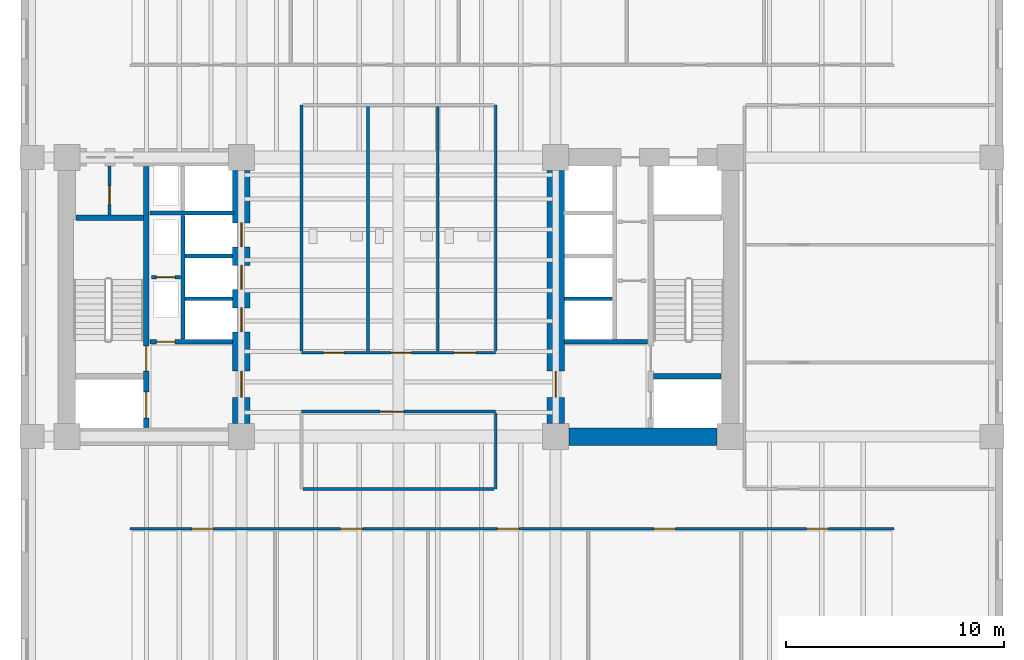
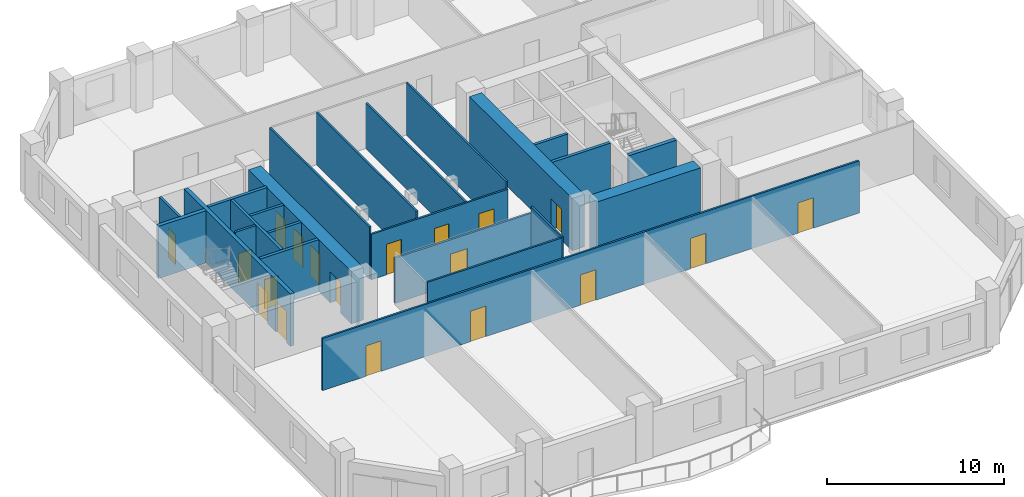
# One storey, part 3 of 9: 24 walls, 19 doors, 19 openings.
"""IFC4 building model written with IfcOpenShell, lengths in metres."""

from ifc_helpers import new_model, si_unit, direction, frame, frame_2d, origin, place, context, subcontext, project, spatial, rectangle, extrude, material, layer, layer_set, type_object, element, fill, save


model = new_model("IFC4")

# Units and contexts
model_context = context("Model", 3, precision=1e-05, world=origin(), true_north=direction((0.0, 1.0)))
body_context = subcontext(model_context, "Body", "Model", "MODEL_VIEW")
ifc_project = project(units=[si_unit("LENGTHUNIT", "METRE"), si_unit("AREAUNIT", "SQUARE_METRE"), si_unit("VOLUMEUNIT", "CUBIC_METRE"), si_unit("PLANEANGLEUNIT", "RADIAN"), si_unit("MASSUNIT", "GRAM", prefix="KILO")], contexts=[model_context])

# Site, building, storey
site_placement = place(None, origin())
site = spatial("IfcSite", under=ifc_project, at=site_placement, CompositionType="ELEMENT")
building_placement = place(site_placement, origin())
building = spatial("IfcBuilding", under=site, at=building_placement, Name="Kranthara Brick Stack", CompositionType="ELEMENT")
storey_placement = place(building_placement, frame((0.0, 0.0, 63.300048828125)))
storey = spatial("IfcBuildingStorey", under=building, at=storey_placement, Name="L15", CompositionType="ELEMENT", Elevation=63.300048828125)

# Wall, openings, doors
ifc_material_1 = material(Name="Concrete C50/60", Category="concrete")
ifc_layer_1 = layer(ifc_material_1, 0.25)
ifc_layer_set_1 = layer_set([ifc_layer_1], Name="Concrete C50/60")
wall_type_1 = type_object("IfcWallType", Name="WL-CORE-250", PredefinedType="SHEAR", material=ifc_layer_set_1)
wall_1_placement = place(storey_placement, frame((16.43505859375, 21.2099609375, 0.0), z_axis=(0.0, 0.0, 1.0), x_axis=(0.0, 1.0, 0.0)))
wall_1 = element("IfcWall", 1, at=wall_1_placement, inside=storey, type_object=wall_type_1, Name="L15 West Core Stair Bearing Spine Wall", PredefinedType="SHEAR", context=body_context, shape_type="SweptSolid", body=[
    extrude(rectangle(XDim=11.97998046875, YDim=0.25, at=frame_2d((5.989990234375, 0.0))), origin(), (0.0, 0.0, 1.0), 3.599853515625),
])
opening_1_placement = place(wall_1_placement, frame((0.43994140625, 0.0, 0.0)))
opening_1 = element("IfcOpeningElement", 2, at=opening_1_placement, cuts=wall_1, Name="Opening LD01", PredefinedType="OPENING", context=body_context, shape_type="SweptSolid", body=[
    extrude(rectangle(XDim=1.199951171875, YDim=2.14990234375, at=frame_2d((0.60009765625, 1.074951171875))), frame((0.0, 0.135009765625, 0.0), z_axis=(0.0, -1.0, 0.0), x_axis=(1.0, 0.0, 0.0)), (0.0, 0.0, 1.0), 0.27001953125),
])
opening_2_placement = place(wall_1_placement, frame((2.590087890625, 0.0, 0.0)))
opening_2 = element("IfcOpeningElement", 3, at=opening_2_placement, cuts=wall_1, Name="Opening D05", PredefinedType="OPENING", context=body_context, shape_type="SweptSolid", body=[
    extrude(rectangle(XDim=1.14990234375, YDim=2.14990234375, at=frame_2d((0.574951171875, 1.074951171875))), frame((0.0, 0.135009765625, 0.0), z_axis=(0.0, -1.0, 0.0), x_axis=(1.0, 0.0, 0.0)), (0.0, 0.0, 1.0), 0.27001953125),
])
ifc_material_2 = material(Name="Stainless steel sliding landing door", Category="steel")
door_type_1 = type_object("IfcDoorType", Name="DR-LD-FF1200", OperationType="DOUBLE_DOOR_SLIDING", PredefinedType="DOOR", material=ifc_material_2)
door_1_placement = place(opening_1_placement, origin())
door_1 = element("IfcDoor", 4, at=door_1_placement, inside=storey, type_object=door_type_1, Name="L15 Firefighting Lift FF-01 Landing Door", OperationType="DOUBLE_DOOR_SLIDING", OverallHeight=2.14990234375, OverallWidth=1.199951171875, PredefinedType="DOOR", context=body_context, shape_type="SweptSolid", body=[
    extrude(rectangle(XDim=1.199951171875, YDim=2.14990234375, at=frame_2d((0.60009765625, 1.074951171875))), frame((0.0, 0.02490234375, 0.0), z_axis=(0.0, -1.0, 0.0), x_axis=(1.0, 0.0, 0.0)), (0.0, 0.0, 1.0), 0.050048828125),
])
fill(opening_1, door_1)
ifc_material_3 = material(Name="Solid-core hardwood timber leaf in steel frame", Category="steel")
door_type_2 = type_object("IfcDoorType", Name="DR-ST-1150", OperationType="NOTDEFINED", PredefinedType="DOOR", material=ifc_material_3)
door_2_placement = place(opening_2_placement, origin())
door_2 = element("IfcDoor", 5, at=door_2_placement, inside=storey, type_object=door_type_2, Name="L15 Exit Stair ST01 Door", OperationType="SINGLE_SWING_RIGHT", OverallHeight=2.14990234375, OverallWidth=1.14990234375, PredefinedType="DOOR", context=body_context, shape_type="SweptSolid", body=[
    extrude(rectangle(XDim=1.14990234375, YDim=2.14990234375, at=frame_2d((0.574951171875, 1.074951171875))), frame((0.0, 0.02490234375, 0.0), z_axis=(0.0, -1.0, 0.0), x_axis=(1.0, 0.0, 0.0)), (0.0, 0.0, 1.0), 0.050048828125),
])
fill(opening_2, door_2)

# Walls
for number, where, z_axis, x_axis, name in (
    (6, (13.2099609375, 30.830078125, 0.0), (0.0, 0.0, 1.0), (1.0, 0.0, 0.0), "L15 West Stairwell Bearing Wall WST"),
    (7, (39.68994140625, 23.570068359375, 0.0), (0.0, 0.0, 1.0), (1.0, 0.0, 0.0), "L15 East Stairwell Bearing Wall EFF"),
):
    element("IfcWall", number, at=place(storey_placement, frame(where, z_axis=z_axis, x_axis=x_axis)), inside=storey, type_object=wall_type_1, Name=name, PredefinedType="SHEAR", context=body_context, shape_type="SweptSolid", body=[
        extrude(rectangle(XDim=3.10009765625, YDim=0.25, at=frame_2d((1.550048828125, 0.0))), origin(), (0.0, 0.0, 1.0), 3.599853515625),
    ])

# Wall, openings, doors
ifc_material_4 = material(Name="Concrete C70/85", Category="concrete")
ifc_layer_2 = layer(ifc_material_4, 0.800048828125)
ifc_layer_set_2 = layer_set([ifc_layer_2], Name="Concrete C70/85")
wall_type_2 = type_object("IfcWallType", Name="WL-CORE-800", PredefinedType="SHEAR", material=ifc_layer_set_2)
wall_2_placement = place(storey_placement, frame((20.800048828125, 21.405029296875, 0.0), z_axis=(0.0, 0.0, 1.0), x_axis=(0.0, 1.0, 0.0)))
wall_2 = element("IfcWall", 8, at=wall_2_placement, inside=storey, type_object=wall_type_2, Name="L15 West Core Shear Wall East", PredefinedType="SHEAR", context=body_context, shape_type="SweptSolid", body=[
    extrude(rectangle(XDim=11.590087890625, YDim=0.800048828125, at=frame_2d((5.794921875, 0.0))), origin(), (0.0, 0.0, 1.0), 3.599853515625),
])
opening_3_placement = place(wall_2_placement, frame((1.195068359375, 0.0, 0.0)))
opening_3 = element("IfcOpeningElement", 9, at=opening_3_placement, cuts=wall_2, Name="Opening D06", PredefinedType="OPENING", context=body_context, shape_type="SweptSolid", body=[
    extrude(rectangle(XDim=1.199951171875, YDim=2.14990234375, at=frame_2d((0.60009765625, 1.074951171875))), frame((0.0, 0.409912109375, 0.0), z_axis=(0.0, -1.0, 0.0), x_axis=(1.0, 0.0, 0.0)), (0.0, 0.0, 1.0), 0.820068359375),
])
opening_4_placement = place(wall_2_placement, frame((4.195068359375, 0.0, 0.0)))
opening_4 = element("IfcOpeningElement", 10, at=opening_4_placement, cuts=wall_2, Name="Opening LD02", PredefinedType="OPENING", context=body_context, shape_type="SweptSolid", body=[
    extrude(rectangle(XDim=1.10009765625, YDim=2.10009765625, at=frame_2d((0.550048828125, 1.050048828125))), frame((0.0, 0.409912109375, 0.0), z_axis=(0.0, -1.0, 0.0), x_axis=(1.0, 0.0, 0.0)), (0.0, 0.0, 1.0), 0.820068359375),
])
opening_5_placement = place(wall_2_placement, frame((6.14501953125, 0.0, 0.0)))
opening_5 = element("IfcOpeningElement", 11, at=opening_5_placement, cuts=wall_2, Name="Opening LD02", PredefinedType="OPENING", context=body_context, shape_type="SweptSolid", body=[
    extrude(rectangle(XDim=1.10009765625, YDim=2.10009765625, at=frame_2d((0.550048828125, 1.050048828125))), frame((0.0, 0.409912109375, 0.0), z_axis=(0.0, -1.0, 0.0), x_axis=(1.0, 0.0, 0.0)), (0.0, 0.0, 1.0), 0.820068359375),
])
opening_6_placement = place(wall_2_placement, frame((8.094970703125, 0.0, 0.0)))
opening_6 = element("IfcOpeningElement", 12, at=opening_6_placement, cuts=wall_2, Name="Opening LD02", PredefinedType="OPENING", context=body_context, shape_type="SweptSolid", body=[
    extrude(rectangle(XDim=1.10009765625, YDim=2.10009765625, at=frame_2d((0.550048828125, 1.050048828125))), frame((0.0, 0.409912109375, 0.0), z_axis=(0.0, -1.0, 0.0), x_axis=(1.0, 0.0, 0.0)), (0.0, 0.0, 1.0), 0.820068359375),
])
ifc_material_5 = material(Name="Solid-core hardwood timber leaf in steel frame", Category="steel")
door_type_3 = type_object("IfcDoorType", Name="DR-FFL-1200", OperationType="NOTDEFINED", PredefinedType="DOOR", material=ifc_material_5)
door_3_placement = place(opening_3_placement, origin())
door_3 = element("IfcDoor", 13, at=door_3_placement, inside=storey, type_object=door_type_3, Name="L15 West Firefighting Lobby Door", OperationType="SINGLE_SWING_LEFT", OverallHeight=2.14990234375, OverallWidth=1.199951171875, PredefinedType="DOOR", context=body_context, shape_type="SweptSolid", body=[
    extrude(rectangle(XDim=1.199951171875, YDim=2.14990234375, at=frame_2d((0.60009765625, 1.074951171875))), frame((0.0, 0.02490234375, 0.0), z_axis=(0.0, -1.0, 0.0), x_axis=(1.0, 0.0, 0.0)), (0.0, 0.0, 1.0), 0.050048828125),
])
fill(opening_3, door_3)
ifc_material_6 = material(Name="Stainless steel sliding landing door", Category="steel")
door_type_4 = type_object("IfcDoorType", Name="DR-LD-PL1100", OperationType="DOUBLE_DOOR_SLIDING", PredefinedType="DOOR", material=ifc_material_6)
door_4_placement = place(opening_4_placement, origin())
door_4 = element("IfcDoor", 14, at=door_4_placement, inside=storey, type_object=door_type_4, Name="L15 PL-01 Lift Landing Door", OperationType="DOUBLE_DOOR_SLIDING", OverallHeight=2.10009765625, OverallWidth=1.10009765625, PredefinedType="DOOR", context=body_context, shape_type="SweptSolid", body=[
    extrude(rectangle(XDim=1.10009765625, YDim=2.10009765625, at=frame_2d((0.550048828125, 1.050048828125))), frame((0.0, 0.02490234375, 0.0), z_axis=(0.0, -1.0, 0.0), x_axis=(1.0, 0.0, 0.0)), (0.0, 0.0, 1.0), 0.050048828125),
])
fill(opening_4, door_4)
door_5_placement = place(opening_5_placement, origin())
door_5 = element("IfcDoor", 15, at=door_5_placement, inside=storey, type_object=door_type_4, Name="L15 PL-02 Lift Landing Door", OperationType="DOUBLE_DOOR_SLIDING", OverallHeight=2.10009765625, OverallWidth=1.10009765625, PredefinedType="DOOR", context=body_context, shape_type="SweptSolid", body=[
    extrude(rectangle(XDim=1.10009765625, YDim=2.10009765625, at=frame_2d((0.550048828125, 1.050048828125))), frame((0.0, 0.02490234375, 0.0), z_axis=(0.0, -1.0, 0.0), x_axis=(1.0, 0.0, 0.0)), (0.0, 0.0, 1.0), 0.050048828125),
])
fill(opening_5, door_5)
door_6_placement = place(opening_6_placement, origin())
door_6 = element("IfcDoor", 16, at=door_6_placement, inside=storey, type_object=door_type_4, Name="L15 PL-03 Lift Landing Door", OperationType="DOUBLE_DOOR_SLIDING", OverallHeight=2.10009765625, OverallWidth=1.10009765625, PredefinedType="DOOR", context=body_context, shape_type="SweptSolid", body=[
    extrude(rectangle(XDim=1.10009765625, YDim=2.10009765625, at=frame_2d((0.550048828125, 1.050048828125))), frame((0.0, 0.02490234375, 0.0), z_axis=(0.0, -1.0, 0.0), x_axis=(1.0, 0.0, 0.0)), (0.0, 0.0, 1.0), 0.050048828125),
])
fill(opening_6, door_6)

# Wall
wall_3_placement = place(storey_placement, frame((35.804931640625, 20.800048828125, 0.0), z_axis=(0.0, 0.0, 1.0), x_axis=(1.0, 0.0, 0.0)))
element("IfcWall", 17, at=wall_3_placement, inside=storey, type_object=wall_type_2, Name="L15 East Core Shear Wall South", PredefinedType="SHEAR", context=body_context, shape_type="SweptSolid", body=[
    extrude(rectangle(XDim=6.7900390625, YDim=0.800048828125, at=frame_2d((3.39501953125, 0.0))), origin(), (0.0, 0.0, 1.0), 3.599853515625),
])

# Wall, opening, door
wall_4_placement = place(storey_placement, frame((35.199951171875, 21.405029296875, 0.0), z_axis=(0.0, 0.0, 1.0), x_axis=(0.0, 1.0, 0.0)))
wall_4 = element("IfcWall", 18, at=wall_4_placement, inside=storey, type_object=wall_type_2, Name="L15 East Core Shear Wall West", PredefinedType="SHEAR", context=body_context, shape_type="SweptSolid", body=[
    extrude(rectangle(XDim=11.590087890625, YDim=0.800048828125, at=frame_2d((5.794921875, 0.0))), origin(), (0.0, 0.0, 1.0), 3.599853515625),
])
opening_7_placement = place(wall_4_placement, frame((1.195068359375, 0.0, 0.0)))
opening_7 = element("IfcOpeningElement", 19, at=opening_7_placement, cuts=wall_4, Name="Opening D06", PredefinedType="OPENING", context=body_context, shape_type="SweptSolid", body=[
    extrude(rectangle(XDim=1.199951171875, YDim=2.14990234375, at=frame_2d((0.60009765625, 1.074951171875))), frame((0.0, 0.409912109375, 0.0), z_axis=(0.0, -1.0, 0.0), x_axis=(1.0, 0.0, 0.0)), (0.0, 0.0, 1.0), 0.820068359375),
])
door_7_placement = place(opening_7_placement, origin())
door_7 = element("IfcDoor", 20, at=door_7_placement, inside=storey, type_object=door_type_3, Name="L15 East Firefighting Lobby Door", OperationType="SINGLE_SWING_RIGHT", OverallHeight=2.14990234375, OverallWidth=1.199951171875, PredefinedType="DOOR", context=body_context, shape_type="SweptSolid", body=[
    extrude(rectangle(XDim=1.199951171875, YDim=2.14990234375, at=frame_2d((0.60009765625, 1.074951171875))), frame((0.0, 0.02490234375, 0.0), z_axis=(0.0, -1.0, 0.0), x_axis=(1.0, 0.0, 0.0)), (0.0, 0.0, 1.0), 0.050048828125),
])
fill(opening_7, door_7)

# Wall, openings, doors
ifc_material_7 = material(Name="Acoustic gypsum plasterboard partition", Category="other")
ifc_layer_3 = layer(ifc_material_7, 0.1201171875)
ifc_layer_set_3 = layer_set([ifc_layer_3], Name="Acoustic gypsum plasterboard partition")
wall_type_3 = type_object("IfcWallType", Name="WL-PART-120", PredefinedType="PARTITIONING", material=ifc_layer_set_3)
wall_5_placement = place(storey_placement, frame((23.550048828125, 24.64990234375, 0.0), z_axis=(0.0, 0.0, 1.0), x_axis=(1.0, 0.0, 0.0)))
wall_5 = element("IfcWall", 21, at=wall_5_placement, inside=storey, type_object=wall_type_3, Name="L15 Interior Partition 005", PredefinedType="PARTITIONING", context=body_context, shape_type="SweptSolid", body=[
    extrude(rectangle(XDim=8.89990234375, YDim=0.1201171875, at=frame_2d((4.449951171875, 0.0))), origin(), (0.0, 0.0, 1.0), 3.135009765625),
])
opening_8_placement = place(wall_5_placement, frame((1.0, 0.0, 0.0)))
opening_8 = element("IfcOpeningElement", 22, at=opening_8_placement, cuts=wall_5, Name="Opening D14", PredefinedType="OPENING", context=body_context, shape_type="SweptSolid", body=[
    extrude(rectangle(XDim=0.949951171875, YDim=2.10009765625, at=frame_2d((0.47509765625, 1.050048828125))), frame((0.0, 0.070068359375, 0.0), z_axis=(0.0, -1.0, 0.0), x_axis=(1.0, 0.0, 0.0)), (0.0, 0.0, 1.0), 0.14013671875),
])
opening_9_placement = place(wall_5_placement, frame((4.10009765625, 0.0, 0.0)))
opening_9 = element("IfcOpeningElement", 23, at=opening_9_placement, cuts=wall_5, Name="Opening D14", PredefinedType="OPENING", context=body_context, shape_type="SweptSolid", body=[
    extrude(rectangle(XDim=0.949951171875, YDim=2.10009765625, at=frame_2d((0.47509765625, 1.050048828125))), frame((0.0, 0.070068359375, 0.0), z_axis=(0.0, -1.0, 0.0), x_axis=(1.0, 0.0, 0.0)), (0.0, 0.0, 1.0), 0.14013671875),
])
opening_10_placement = place(wall_5_placement, frame((7.0, 0.0, 0.0)))
opening_10 = element("IfcOpeningElement", 24, at=opening_10_placement, cuts=wall_5, Name="Opening D18", PredefinedType="OPENING", context=body_context, shape_type="SweptSolid", body=[
    extrude(rectangle(XDim=1.0, YDim=2.10009765625, at=frame_2d((0.5, 1.050048828125))), frame((0.0, 0.070068359375, 0.0), z_axis=(0.0, -1.0, 0.0), x_axis=(1.0, 0.0, 0.0)), (0.0, 0.0, 1.0), 0.14013671875),
])
ifc_material_8 = material(Name="Solid-core hardwood timber leaf in steel frame", Category="steel")
door_type_5 = type_object("IfcDoorType", Name="DR-ACC-1000", OperationType="NOTDEFINED", PredefinedType="DOOR", material=ifc_material_8)
door_8_placement = place(opening_10_placement, origin())
door_8 = element("IfcDoor", 25, at=door_8_placement, inside=storey, type_object=door_type_5, Name="L15 Accessible WC Door 07", OperationType="SINGLE_SWING_LEFT", OverallHeight=2.10009765625, OverallWidth=1.0, PredefinedType="DOOR", context=body_context, shape_type="SweptSolid", body=[
    extrude(rectangle(XDim=1.0, YDim=2.10009765625, at=frame_2d((0.5, 1.050048828125))), frame((0.0, 0.02490234375, 0.0), z_axis=(0.0, -1.0, 0.0), x_axis=(1.0, 0.0, 0.0)), (0.0, 0.0, 1.0), 0.050048828125),
])
fill(opening_10, door_8)
ifc_material_9 = material(Name="Solid-core hardwood timber leaf in steel frame", Category="steel")
door_type_6 = type_object("IfcDoorType", Name="DR-INT-950", OperationType="NOTDEFINED", PredefinedType="DOOR", material=ifc_material_9)
door_9_placement = place(opening_8_placement, origin())
door_9 = element("IfcDoor", 26, at=door_9_placement, inside=storey, type_object=door_type_6, Name="L15 Male WC Door 05", OperationType="SINGLE_SWING_LEFT", OverallHeight=2.10009765625, OverallWidth=0.949951171875, PredefinedType="DOOR", context=body_context, shape_type="SweptSolid", body=[
    extrude(rectangle(XDim=0.949951171875, YDim=2.10009765625, at=frame_2d((0.47509765625, 1.050048828125))), frame((0.0, 0.02490234375, 0.0), z_axis=(0.0, -1.0, 0.0), x_axis=(1.0, 0.0, 0.0)), (0.0, 0.0, 1.0), 0.050048828125),
])
fill(opening_8, door_9)
door_10_placement = place(opening_9_placement, origin())
door_10 = element("IfcDoor", 27, at=door_10_placement, inside=storey, type_object=door_type_6, Name="L15 Female WC Door 06", OperationType="SINGLE_SWING_RIGHT", OverallHeight=2.10009765625, OverallWidth=0.949951171875, PredefinedType="DOOR", context=body_context, shape_type="SweptSolid", body=[
    extrude(rectangle(XDim=0.949951171875, YDim=2.10009765625, at=frame_2d((0.47509765625, 1.050048828125))), frame((0.0, 0.02490234375, 0.0), z_axis=(0.0, -1.0, 0.0), x_axis=(1.0, 0.0, 0.0)), (0.0, 0.0, 1.0), 0.050048828125),
])
fill(opening_9, door_10)

# Walls
for number, where, z_axis, x_axis, name in (
    (28, (23.550048828125, 24.715087890625, 0.0), (0.0, 0.0, 1.0), (0.0, 1.0, 0.0), "L15 Interior Partition 006"),
    (29, (32.449951171875, 24.715087890625, 0.0), (0.0, 0.0, 1.0), (0.0, 1.0, 0.0), "L15 Interior Partition 007"),
    (30, (26.60009765625, 24.715087890625, 0.0), (0.0, 0.0, 1.0), (0.0, 1.0, 0.0), "L15 Interior Partition 008"),
):
    element("IfcWall", number, at=place(storey_placement, frame(where, z_axis=z_axis, x_axis=x_axis)), inside=storey, type_object=wall_type_3, Name=name, PredefinedType="PARTITIONING", context=body_context, shape_type="SweptSolid", body=[
        extrude(rectangle(XDim=11.284912109375, YDim=0.1201171875, at=frame_2d((5.642578125, 0.0))), origin(), (0.0, 0.0, 1.0), 3.599853515625),
    ])
wall_6_placement = place(storey_placement, frame((29.800048828125, 24.715087890625, 0.0), z_axis=(0.0, 0.0, 1.0), x_axis=(0.0, 1.0, 0.0)))
element("IfcWall", 31, at=wall_6_placement, inside=storey, type_object=wall_type_3, Name="L15 Interior Partition 009", PredefinedType="PARTITIONING", context=body_context, shape_type="SweptSolid", body=[
    extrude(rectangle(XDim=11.284912109375, YDim=0.1201171875, at=frame_2d((5.642578125, 0.0))), origin(), (0.0, 0.0, 1.0), 3.135009765625),
])

# Wall, opening, door
wall_7_placement = place(storey_placement, frame((23.550048828125, 21.949951171875, 0.0), z_axis=(0.0, 0.0, 1.0), x_axis=(1.0, 0.0, 0.0)))
wall_7 = element("IfcWall", 32, at=wall_7_placement, inside=storey, type_object=wall_type_3, Name="L15 Interior Partition 011", PredefinedType="PARTITIONING", context=body_context, shape_type="SweptSolid", body=[
    extrude(rectangle(XDim=8.89990234375, YDim=0.1201171875, at=frame_2d((4.449951171875, 0.0))), origin(), (0.0, 0.0, 1.0), 3.135009765625),
])
opening_11_placement = place(wall_7_placement, frame((3.60009765625, 0.0, 0.0)))
opening_11 = element("IfcOpeningElement", 33, at=opening_11_placement, cuts=wall_7, Name="Opening D11", PredefinedType="OPENING", context=body_context, shape_type="SweptSolid", body=[
    extrude(rectangle(XDim=1.10009765625, YDim=2.14990234375, at=frame_2d((0.550048828125, 1.074951171875))), frame((0.0, 0.070068359375, 0.0), z_axis=(0.0, -1.0, 0.0), x_axis=(1.0, 0.0, 0.0)), (0.0, 0.0, 1.0), 0.14013671875),
])
ifc_material_10 = material(Name="Solid-core hardwood timber leaf in steel frame", Category="steel")
door_type_7 = type_object("IfcDoorType", Name="DR-INT-1100", OperationType="NOTDEFINED", PredefinedType="DOOR", material=ifc_material_10)
door_11_placement = place(opening_11_placement, origin())
door_11 = element("IfcDoor", 34, at=door_11_placement, inside=storey, type_object=door_type_7, Name="L15 Internal Briefing Room 08", OperationType="SINGLE_SWING_RIGHT", OverallHeight=2.14990234375, OverallWidth=1.10009765625, PredefinedType="DOOR", context=body_context, shape_type="SweptSolid", body=[
    extrude(rectangle(XDim=1.10009765625, YDim=2.14990234375, at=frame_2d((0.550048828125, 1.074951171875))), frame((0.0, 0.02490234375, 0.0), z_axis=(0.0, -1.0, 0.0), x_axis=(1.0, 0.0, 0.0)), (0.0, 0.0, 1.0), 0.050048828125),
])
fill(opening_11, door_11)

# Walls
wall_8_placement = place(storey_placement, frame((32.449951171875, 18.39990234375, 0.0), z_axis=(0.0, 0.0, 1.0), x_axis=(0.0, 1.0, 0.0)))
element("IfcWall", 35, at=wall_8_placement, inside=storey, type_object=wall_type_3, Name="L15 Interior Partition 013", PredefinedType="PARTITIONING", context=body_context, shape_type="SweptSolid", body=[
    extrude(rectangle(XDim=3.485107421875, YDim=0.1201171875, at=frame_2d((1.74267578125, 0.0))), origin(), (0.0, 0.0, 1.0), 3.599853515625),
])
wall_9_placement = place(storey_placement, frame((23.614990234375, 18.39990234375, 0.0), z_axis=(0.0, 0.0, 1.0), x_axis=(1.0, 0.0, 0.0)))
element("IfcWall", 36, at=wall_9_placement, inside=storey, type_object=wall_type_3, Name="L15 Interior Partition 014", PredefinedType="PARTITIONING", context=body_context, shape_type="SweptSolid", body=[
    extrude(rectangle(XDim=8.77001953125, YDim=0.1201171875, at=frame_2d((4.385009765625, 0.0))), origin(), (0.0, 0.0, 1.0), 3.599853515625),
])

# Wall, openings, doors
wall_10_placement = place(storey_placement, frame((15.699951171875, 16.580078125, 0.0), z_axis=(0.0, 0.0, 1.0), x_axis=(1.0, 0.0, 0.0)))
wall_10 = element("IfcWall", 37, at=wall_10_placement, inside=storey, type_object=wall_type_3, Name="L15 Interior Partition 015", PredefinedType="PARTITIONING", context=body_context, shape_type="SweptSolid", body=[
    extrude(rectangle(XDim=35.0, YDim=0.1201171875, at=frame_2d((17.5, 0.0))), origin(), (0.0, 0.0, 1.0), 3.599853515625),
])
opening_12_placement = place(wall_10_placement, frame((2.824951171875, 0.0, 0.0)))
opening_12 = element("IfcOpeningElement", 38, at=opening_12_placement, cuts=wall_10, Name="Opening D13", PredefinedType="OPENING", context=body_context, shape_type="SweptSolid", body=[
    extrude(rectangle(XDim=1.0, YDim=2.10009765625, at=frame_2d((0.5, 1.050048828125))), frame((0.0, 0.070068359375, 0.0), z_axis=(0.0, -1.0, 0.0), x_axis=(1.0, 0.0, 0.0)), (0.0, 0.0, 1.0), 0.14013671875),
])
opening_13_placement = place(wall_10_placement, frame((9.64990234375, 0.0, 0.0)))
opening_13 = element("IfcOpeningElement", 39, at=opening_13_placement, cuts=wall_10, Name="Opening D13", PredefinedType="OPENING", context=body_context, shape_type="SweptSolid", body=[
    extrude(rectangle(XDim=1.0, YDim=2.10009765625, at=frame_2d((0.5, 1.050048828125))), frame((0.0, 0.070068359375, 0.0), z_axis=(0.0, -1.0, 0.0), x_axis=(1.0, 0.0, 0.0)), (0.0, 0.0, 1.0), 0.14013671875),
])
opening_14_placement = place(wall_10_placement, frame((16.824951171875, 0.0, 0.0)))
opening_14 = element("IfcOpeningElement", 40, at=opening_14_placement, cuts=wall_10, Name="Opening D13", PredefinedType="OPENING", context=body_context, shape_type="SweptSolid", body=[
    extrude(rectangle(XDim=1.0, YDim=2.10009765625, at=frame_2d((0.5, 1.050048828125))), frame((0.0, 0.070068359375, 0.0), z_axis=(0.0, -1.0, 0.0), x_axis=(1.0, 0.0, 0.0)), (0.0, 0.0, 1.0), 0.14013671875),
])
opening_15_placement = place(wall_10_placement, frame((24.0, 0.0, 0.0)))
opening_15 = element("IfcOpeningElement", 41, at=opening_15_placement, cuts=wall_10, Name="Opening D13", PredefinedType="OPENING", context=body_context, shape_type="SweptSolid", body=[
    extrude(rectangle(XDim=1.0, YDim=2.10009765625, at=frame_2d((0.5, 1.050048828125))), frame((0.0, 0.070068359375, 0.0), z_axis=(0.0, -1.0, 0.0), x_axis=(1.0, 0.0, 0.0)), (0.0, 0.0, 1.0), 0.14013671875),
])
opening_16_placement = place(wall_10_placement, frame((31.0, 0.0, 0.0)))
opening_16 = element("IfcOpeningElement", 42, at=opening_16_placement, cuts=wall_10, Name="Opening D13", PredefinedType="OPENING", context=body_context, shape_type="SweptSolid", body=[
    extrude(rectangle(XDim=1.0, YDim=2.10009765625, at=frame_2d((0.5, 1.050048828125))), frame((0.0, 0.070068359375, 0.0), z_axis=(0.0, -1.0, 0.0), x_axis=(1.0, 0.0, 0.0)), (0.0, 0.0, 1.0), 0.14013671875),
])
ifc_material_11 = material(Name="Solid-core hardwood timber leaf in steel frame", Category="steel")
door_type_8 = type_object("IfcDoorType", Name="DR-INT-1000", OperationType="NOTDEFINED", PredefinedType="DOOR", material=ifc_material_11)
door_12_placement = place(opening_12_placement, origin())
door_12 = element("IfcDoor", 43, at=door_12_placement, inside=storey, type_object=door_type_8, Name="L15 Executive Cellular Office 09", OperationType="SINGLE_SWING_LEFT", OverallHeight=2.10009765625, OverallWidth=1.0, PredefinedType="DOOR", context=body_context, shape_type="SweptSolid", body=[
    extrude(rectangle(XDim=1.0, YDim=2.10009765625, at=frame_2d((0.5, 1.050048828125))), frame((0.0, 0.02490234375, 0.0), z_axis=(0.0, -1.0, 0.0), x_axis=(1.0, 0.0, 0.0)), (0.0, 0.0, 1.0), 0.050048828125),
])
fill(opening_12, door_12)
door_13_placement = place(opening_13_placement, origin())
door_13 = element("IfcDoor", 44, at=door_13_placement, inside=storey, type_object=door_type_8, Name="L15 Executive Cellular Office 10", OperationType="SINGLE_SWING_RIGHT", OverallHeight=2.10009765625, OverallWidth=1.0, PredefinedType="DOOR", context=body_context, shape_type="SweptSolid", body=[
    extrude(rectangle(XDim=1.0, YDim=2.10009765625, at=frame_2d((0.5, 1.050048828125))), frame((0.0, 0.02490234375, 0.0), z_axis=(0.0, -1.0, 0.0), x_axis=(1.0, 0.0, 0.0)), (0.0, 0.0, 1.0), 0.050048828125),
])
fill(opening_13, door_13)
door_14_placement = place(opening_14_placement, origin())
door_14 = element("IfcDoor", 45, at=door_14_placement, inside=storey, type_object=door_type_8, Name="L15 Executive Cellular Office 11", OperationType="SINGLE_SWING_LEFT", OverallHeight=2.10009765625, OverallWidth=1.0, PredefinedType="DOOR", context=body_context, shape_type="SweptSolid", body=[
    extrude(rectangle(XDim=1.0, YDim=2.10009765625, at=frame_2d((0.5, 1.050048828125))), frame((0.0, 0.02490234375, 0.0), z_axis=(0.0, -1.0, 0.0), x_axis=(1.0, 0.0, 0.0)), (0.0, 0.0, 1.0), 0.050048828125),
])
fill(opening_14, door_14)
door_15_placement = place(opening_15_placement, origin())
door_15 = element("IfcDoor", 46, at=door_15_placement, inside=storey, type_object=door_type_8, Name="L15 Executive Cellular Office 12", OperationType="SINGLE_SWING_RIGHT", OverallHeight=2.10009765625, OverallWidth=1.0, PredefinedType="DOOR", context=body_context, shape_type="SweptSolid", body=[
    extrude(rectangle(XDim=1.0, YDim=2.10009765625, at=frame_2d((0.5, 1.050048828125))), frame((0.0, 0.02490234375, 0.0), z_axis=(0.0, -1.0, 0.0), x_axis=(1.0, 0.0, 0.0)), (0.0, 0.0, 1.0), 0.050048828125),
])
fill(opening_15, door_15)
door_16_placement = place(opening_16_placement, origin())
door_16 = element("IfcDoor", 47, at=door_16_placement, inside=storey, type_object=door_type_8, Name="L15 Focus Study Room 13", OperationType="SINGLE_SWING_LEFT", OverallHeight=2.10009765625, OverallWidth=1.0, PredefinedType="DOOR", context=body_context, shape_type="SweptSolid", body=[
    extrude(rectangle(XDim=1.0, YDim=2.10009765625, at=frame_2d((0.5, 1.050048828125))), frame((0.0, 0.02490234375, 0.0), z_axis=(0.0, -1.0, 0.0), x_axis=(1.0, 0.0, 0.0)), (0.0, 0.0, 1.0), 0.050048828125),
])
fill(opening_16, door_16)

# Wall, opening, door
ifc_material_12 = material(Name="Fire-rated gypsum board partition", Category="other")
ifc_layer_4 = layer(ifc_material_12, 0.14990234375)
ifc_layer_set_4 = layer_set([ifc_layer_4], Name="Fire-rated gypsum board partition")
wall_type_4 = type_object("IfcWallType", Name="WL-PART-150", PredefinedType="PARTITIONING", material=ifc_layer_set_4)
wall_11_placement = place(storey_placement, frame((14.75, 30.9599609375, 0.0), z_axis=(0.0, 0.0, 1.0), x_axis=(0.0, 1.0, 0.0)))
wall_11 = element("IfcWall", 48, at=wall_11_placement, inside=storey, type_object=wall_type_4, Name="L15 Interior Partition 001", PredefinedType="PARTITIONING", context=body_context, shape_type="SweptSolid", body=[
    extrude(rectangle(XDim=2.235107421875, YDim=0.14990234375, at=frame_2d((1.11767578125, 0.0))), origin(), (0.0, 0.0, 1.0), 3.599853515625),
])
opening_17_placement = place(wall_11_placement, frame((0.469970703125, 0.0, 0.0)))
opening_17 = element("IfcOpeningElement", 49, at=opening_17_placement, cuts=wall_11, Name="Opening D10", PredefinedType="OPENING", context=body_context, shape_type="SweptSolid", body=[
    extrude(rectangle(XDim=0.85009765625, YDim=2.02001953125, at=frame_2d((0.425048828125, 1.010009765625))), frame((0.0, 0.0849609375, 0.0), z_axis=(0.0, -1.0, 0.0), x_axis=(1.0, 0.0, 0.0)), (0.0, 0.0, 1.0), 0.169921875),
])
ifc_material_13 = material(Name="Solid-core hardwood timber leaf in steel frame", Category="steel")
door_type_9 = type_object("IfcDoorType", Name="DR-RSR-850", OperationType="NOTDEFINED", PredefinedType="DOOR", material=ifc_material_13)
door_17_placement = place(opening_17_placement, origin())
door_17 = element("IfcDoor", 50, at=door_17_placement, inside=storey, type_object=door_type_9, Name="L15 Service Interconnect 01", OperationType="SINGLE_SWING_LEFT", OverallHeight=2.02001953125, OverallWidth=0.85009765625, PredefinedType="DOOR", context=body_context, shape_type="SweptSolid", body=[
    extrude(rectangle(XDim=0.85009765625, YDim=2.02001953125, at=frame_2d((0.425048828125, 1.010009765625))), frame((0.0, 0.02490234375, 0.0), z_axis=(0.0, -1.0, 0.0), x_axis=(1.0, 0.0, 0.0)), (0.0, 0.0, 1.0), 0.050048828125),
])
fill(opening_17, door_17)

wall_12_placement = place(storey_placement, frame((16.679931640625, 28.10009765625, 0.0), z_axis=(0.0, 0.0, 1.0), x_axis=(1.0, 0.0, 0.0)))
wall_12 = element("IfcWall", 51, at=wall_12_placement, inside=storey, type_object=wall_type_4, Name="L15 Interior Partition 004", PredefinedType="PARTITIONING", context=body_context, shape_type="SweptSolid", body=[
    extrude(rectangle(XDim=1.320068359375, YDim=0.14990234375, at=frame_2d((0.66015625, 0.0))), origin(), (0.0, 0.0, 1.0), 3.599853515625),
])
opening_18_placement = place(wall_12_placement, frame((0.219970703125, 0.0, 0.0)))
opening_18 = element("IfcOpeningElement", 52, at=opening_18_placement, cuts=wall_12, Name="Opening D10", PredefinedType="OPENING", context=body_context, shape_type="SweptSolid", body=[
    extrude(rectangle(XDim=0.85009765625, YDim=2.02001953125, at=frame_2d((0.425048828125, 1.010009765625))), frame((0.0, 0.0849609375, 0.0), z_axis=(0.0, -1.0, 0.0), x_axis=(1.0, 0.0, 0.0)), (0.0, 0.0, 1.0), 0.169921875),
])
door_18_placement = place(opening_18_placement, origin())
door_18 = element("IfcDoor", 53, at=door_18_placement, inside=storey, type_object=door_type_9, Name="L15 Riser Split Door 04", OperationType="SINGLE_SWING_RIGHT", OverallHeight=2.02001953125, OverallWidth=0.85009765625, PredefinedType="DOOR", context=body_context, shape_type="SweptSolid", body=[
    extrude(rectangle(XDim=0.85009765625, YDim=2.02001953125, at=frame_2d((0.425048828125, 1.010009765625))), frame((0.0, 0.02490234375, 0.0), z_axis=(0.0, -1.0, 0.0), x_axis=(1.0, 0.0, 0.0)), (0.0, 0.0, 1.0), 0.050048828125),
])
fill(opening_18, door_18)

# Walls
ifc_material_14 = material(Name="Gypsum plasterboard on acoustic twin stud", Category="other")
ifc_layer_5 = layer(ifc_material_14, 0.179931640625)
ifc_layer_set_5 = layer_set([ifc_layer_5], Name="Gypsum plasterboard on acoustic twin stud")
wall_type_5 = type_object("IfcWallType", Name="WL-PART-180", PredefinedType="PARTITIONING", material=ifc_layer_set_5)
wall_13_placement = place(storey_placement, frame((18.1201171875, 25.27001953125, 0.0), z_axis=(0.0, 0.0, 1.0), x_axis=(0.0, 1.0, 0.0)))
element("IfcWall", 54, at=wall_13_placement, inside=storey, type_object=wall_type_5, Name="L15 West Hoistway Wall WBK", PredefinedType="PARTITIONING", context=body_context, shape_type="SweptSolid", body=[
    extrude(rectangle(XDim=5.659912109375, YDim=0.179931640625, at=frame_2d((2.830078125, 0.0))), origin(), (0.0, 0.0, 1.0), 3.599853515625),
])
for number, where, z_axis, x_axis, name in (
    (55, (18.219970703125, 27.1201171875, 0.0), (0.0, 0.0, 1.0), (1.0, 0.0, 0.0), "L15 West Hoistway Wall WH1"),
    (56, (18.219970703125, 29.080078125, 0.0), (0.0, 0.0, 1.0), (1.0, 0.0, 0.0), "L15 West Hoistway Wall WH2"),
    (57, (35.610107421875, 27.1201171875, 0.0), (0.0, 0.0, 1.0), (1.0, 0.0, 0.0), "L15 East Hoistway Wall EH1"),
):
    element("IfcWall", number, at=place(storey_placement, frame(where, z_axis=z_axis, x_axis=x_axis)), inside=storey, type_object=wall_type_5, Name=name, PredefinedType="PARTITIONING", context=body_context, shape_type="SweptSolid", body=[
        extrude(rectangle(XDim=2.169921875, YDim=0.179931640625, at=frame_2d((1.0849609375, 0.0))), origin(), (0.0, 0.0, 1.0), 3.599853515625),
    ])

# Wall, opening, door
ifc_material_15 = material(Name="Concrete C40/50", Category="concrete")
ifc_layer_6 = layer(ifc_material_15, 0.199951171875)
ifc_layer_set_6 = layer_set([ifc_layer_6], Name="Concrete C40/50")
wall_type_6 = type_object("IfcWallType", Name="WL-PART-200", PredefinedType="SOLIDWALL", material=ifc_layer_set_6)
wall_14_placement = place(storey_placement, frame((16.60009765625, 25.14990234375, 0.0), z_axis=(0.0, 0.0, 1.0), x_axis=(1.0, 0.0, 0.0)))
wall_14 = element("IfcWall", 58, at=wall_14_placement, inside=storey, type_object=wall_type_6, Name="L15 West Core Cross Wall WFL", PredefinedType="SOLIDWALL", context=body_context, shape_type="SweptSolid", body=[
    extrude(rectangle(XDim=3.789794921875, YDim=0.199951171875, at=frame_2d((1.89501953125, 0.0))), origin(), (0.0, 0.0, 1.0), 3.599853515625),
])
opening_19_placement = place(wall_14_placement, frame((0.300048828125, 0.0, 0.0)))
opening_19 = element("IfcOpeningElement", 59, at=opening_19_placement, cuts=wall_14, Name="Opening D10", PredefinedType="OPENING", context=body_context, shape_type="SweptSolid", body=[
    extrude(rectangle(XDim=0.85009765625, YDim=2.02001953125, at=frame_2d((0.425048828125, 1.010009765625))), frame((0.0, 0.10986328125, 0.0), z_axis=(0.0, -1.0, 0.0), x_axis=(1.0, 0.0, 0.0)), (0.0, 0.0, 1.0), 0.219970703125),
])
door_19_placement = place(opening_19_placement, origin())
door_19 = element("IfcDoor", 60, at=door_19_placement, inside=storey, type_object=door_type_9, Name="L15 Mechanical Riser Access Door", OperationType="SINGLE_SWING_LEFT", OverallHeight=2.02001953125, OverallWidth=0.85009765625, PredefinedType="DOOR", context=body_context, shape_type="SweptSolid", body=[
    extrude(rectangle(XDim=0.85009765625, YDim=2.02001953125, at=frame_2d((0.425048828125, 1.010009765625))), frame((0.0, 0.02490234375, 0.0), z_axis=(0.0, -1.0, 0.0), x_axis=(1.0, 0.0, 0.0)), (0.0, 0.0, 1.0), 0.050048828125),
])
fill(opening_19, door_19)

# Walls
wall_15_placement = place(storey_placement, frame((16.60009765625, 31.050048828125, 0.0), z_axis=(0.0, 0.0, 1.0), x_axis=(1.0, 0.0, 0.0)))
element("IfcWall", 61, at=wall_15_placement, inside=storey, type_object=wall_type_6, Name="L15 West Core Cross Wall WH4", PredefinedType="SOLIDWALL", context=body_context, shape_type="SweptSolid", body=[
    extrude(rectangle(XDim=3.849853515625, YDim=0.199951171875, at=frame_2d((1.9248046875, 0.0))), origin(), (0.0, 0.0, 1.0), 3.599853515625),
])
wall_16_placement = place(storey_placement, frame((35.610107421875, 25.14990234375, 0.0), z_axis=(0.0, 0.0, 1.0), x_axis=(1.0, 0.0, 0.0)))
element("IfcWall", 62, at=wall_16_placement, inside=storey, type_object=wall_type_6, Name="L15 East Core Cross Wall EFL", PredefinedType="SOLIDWALL", context=body_context, shape_type="SweptSolid", body=[
    extrude(rectangle(XDim=3.789794921875, YDim=0.199951171875, at=frame_2d((1.89501953125, 0.0))), origin(), (0.0, 0.0, 1.0), 3.599853515625),
])

save(model, "model.ifc")
